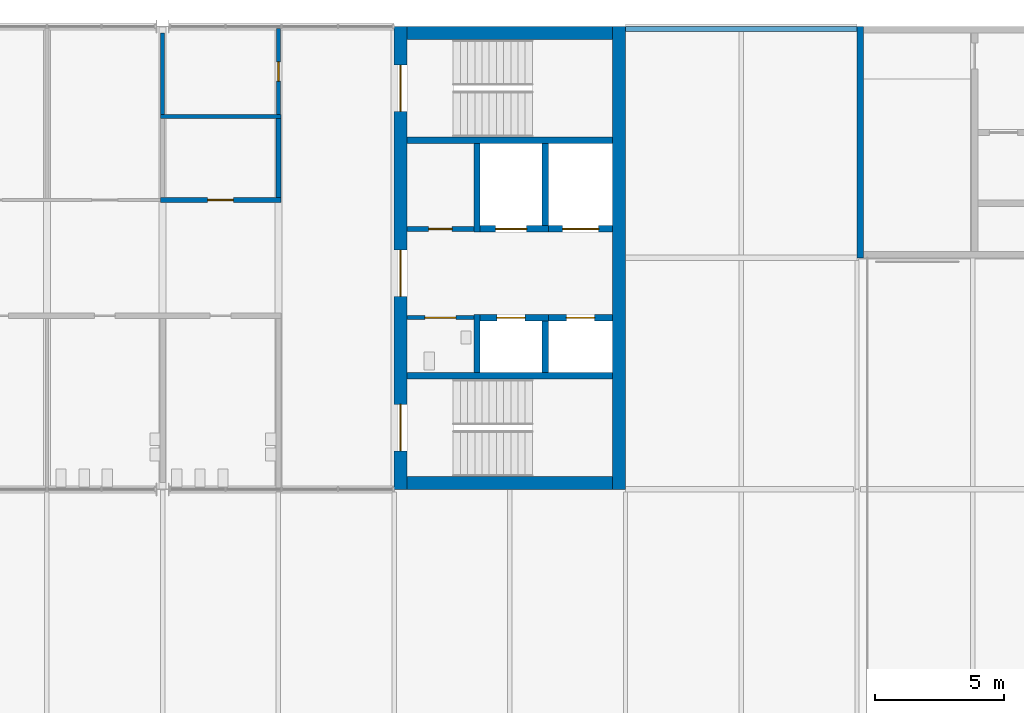
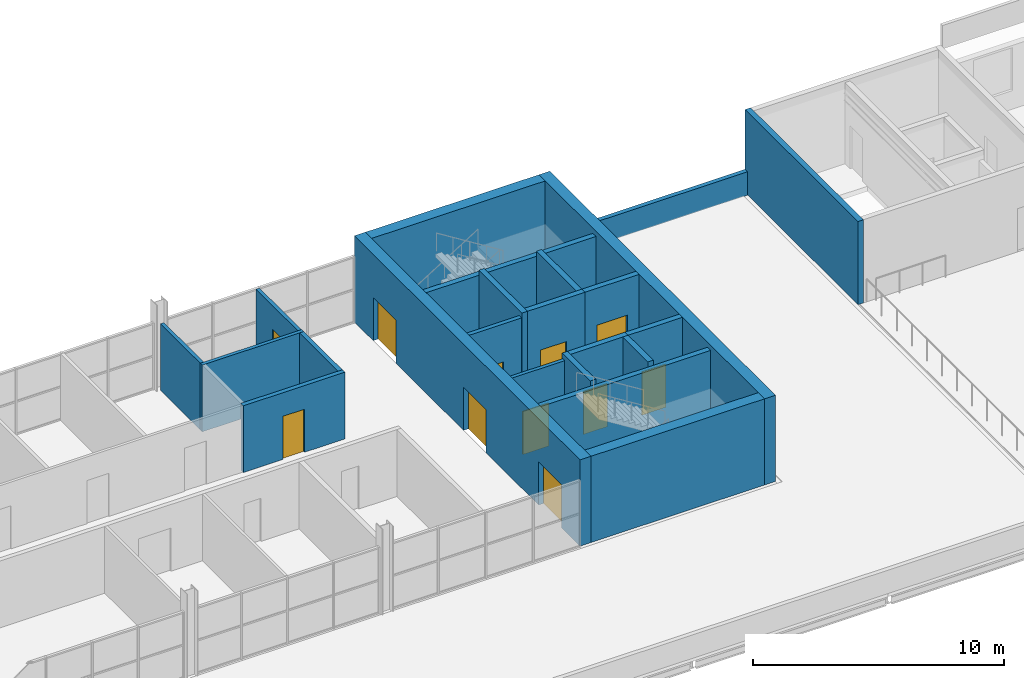
# One storey, part 44 of 50: 23 walls, 11 doors, 11 openings.
"""IFC4 building model written with IfcOpenShell, lengths in metres."""

from ifc_helpers import new_model, si_unit, direction, frame, frame_2d, origin, place, context, subcontext, project, spatial, rectangle, extrude, material, layer, layer_set, type_object, element, fill, save


model = new_model("IFC4")

# Units and contexts
model_context = context("Model", 3, precision=1e-05, world=origin(), true_north=direction((0.0, 1.0)))
body_context = subcontext(model_context, "Body", "Model", "MODEL_VIEW")
ifc_project = project(units=[si_unit("LENGTHUNIT", "METRE"), si_unit("AREAUNIT", "SQUARE_METRE"), si_unit("VOLUMEUNIT", "CUBIC_METRE"), si_unit("PLANEANGLEUNIT", "RADIAN"), si_unit("MASSUNIT", "GRAM", prefix="KILO")], contexts=[model_context])

# Site, building, storey
site_placement = place(None, origin())
site = spatial("IfcSite", under=ifc_project, at=site_placement, CompositionType="ELEMENT")
building_placement = place(site_placement, origin())
building = spatial("IfcBuilding", under=site, at=building_placement, Name="Corbel Yard City Hall", CompositionType="ELEMENT")
storey_placement = place(building_placement, frame((0.0, 0.0, 15.0)))
storey = spatial("IfcBuildingStorey", under=building, at=storey_placement, Name="L03", CompositionType="ELEMENT", Elevation=15.0)

# Walls
ifc_material_1 = material(Name="Concrete N50 (50 MPa)", Category="concrete")
ifc_layer_1 = layer(ifc_material_1, 0.25)
ifc_layer_set_1 = layer_set([ifc_layer_1], Name="Concrete N50 (50 MPa)")
wall_type_1 = type_object("IfcWallType", Name="Core cell wall 250", PredefinedType="SHEAR", material=ifc_layer_set_1)
wall_1_placement = place(storey_placement, frame((63.125, 108.0, 0.0), z_axis=(0.0, 0.0, 1.0), x_axis=(0.0, 1.0, 0.0)))
element("IfcWall", 1, at=wall_1_placement, inside=storey, type_object=wall_type_1, Name="Core PC-N1 west wall", PredefinedType="SHEAR", context=body_context, shape_type="SweptSolid", body=[
    extrude(rectangle(XDim=9.0, YDim=0.25, at=frame_2d((4.5, 0.0))), origin(), (0.0, 0.0, 1.0), 4.050048828125),
])
ifc_material_2 = material(Name="Concrete N40 (40 MPa)", Category="concrete")
ifc_layer_2 = layer(ifc_material_2, 0.25)
ifc_layer_set_2 = layer_set([ifc_layer_2], Name="Concrete N40 (40 MPa)")
wall_type_2 = type_object("IfcWallType", Name="IW2", PredefinedType="SOLIDWALL", material=ifc_layer_set_2)
for number, where, z_axis, x_axis, name in (
    (2, (45.5, 103.425048828125, 0.0), (0.0, 0.0, 1.0), (1.0, 0.0, 0.0), "Stair enclosure wall"),
    (3, (45.5, 112.574951171875, 0.0), (0.0, 0.0, 1.0), (1.0, 0.0, 0.0), "Stair enclosure wall"),
):
    element("IfcWall", number, at=place(storey_placement, frame(where, z_axis=z_axis, x_axis=x_axis)), inside=storey, type_object=wall_type_2, Name=name, PredefinedType="SOLIDWALL", context=body_context, shape_type="SweptSolid", body=[
        extrude(rectangle(XDim=8.0, YDim=0.25, at=frame_2d((4.0, 0.0))), origin(), (0.0, 0.0, 1.0), 3.949951171875),
    ])
wall_2_placement = place(storey_placement, frame((48.22509765625, 103.550048828125, 0.0), z_axis=(0.0, 0.0, 1.0), x_axis=(0.0, 1.0, 0.0)))
element("IfcWall", 4, at=wall_2_placement, inside=storey, type_object=wall_type_2, Name="Lift LP25 shaft wall", PredefinedType="SOLIDWALL", context=body_context, shape_type="SweptSolid", body=[
    extrude(rectangle(XDim=2.25, YDim=0.25, at=frame_2d((1.125, 0.0))), origin(), (0.0, 0.0, 1.0), 4.199951171875),
])
wall_3_placement = place(storey_placement, frame((50.875, 103.550048828125, 0.0), z_axis=(0.0, 0.0, 1.0), x_axis=(0.0, 1.0, 0.0)))
element("IfcWall", 5, at=wall_3_placement, inside=storey, type_object=wall_type_2, Name="Lift LP25 shaft wall", PredefinedType="SOLIDWALL", context=body_context, shape_type="SweptSolid", body=[
    extrude(rectangle(XDim=2.0, YDim=0.25, at=frame_2d((1.0, 0.0))), origin(), (0.0, 0.0, 1.0), 4.199951171875),
])

# Wall, opening, door
wall_4_placement = place(storey_placement, frame((48.35009765625, 105.675048828125, 0.0), z_axis=(0.0, 0.0, 1.0), x_axis=(1.0, 0.0, 0.0)))
wall_4 = element("IfcWall", 6, at=wall_4_placement, inside=storey, type_object=wall_type_2, Name="Lift LP25 shaft wall", PredefinedType="SOLIDWALL", context=body_context, shape_type="SweptSolid", body=[
    extrude(rectangle(XDim=2.64990234375, YDim=0.25, at=frame_2d((1.324951171875, 0.0))), origin(), (0.0, 0.0, 1.0), 4.199951171875),
])
opening_1_placement = place(wall_4_placement, frame((0.64990234375, 0.0, 0.0)))
opening_1 = element("IfcOpeningElement", 7, at=opening_1_placement, cuts=wall_4, Name="Opening L03-022", PredefinedType="OPENING", context=body_context, shape_type="SweptSolid", body=[
    extrude(rectangle(XDim=1.10009765625, YDim=2.10009765625, at=frame_2d((0.550048828125, 1.050048828125))), frame((0.0, 0.135009765625, 0.0), z_axis=(0.0, -1.0, 0.0), x_axis=(1.0, 0.0, 0.0)), (0.0, 0.0, 1.0), 0.27001953125),
])
ifc_material_3 = material(Name="Stainless steel Grade 316", Category="steel")
door_type_1 = type_object("IfcDoorType", Name="LD1", OperationType="DOUBLE_DOOR_SLIDING", PredefinedType="DOOR", material=ifc_material_3)
door_1_placement = place(opening_1_placement, origin())
door_1 = element("IfcDoor", 8, at=door_1_placement, inside=storey, type_object=door_type_1, Name="Lift LP25 landing door", OperationType="DOUBLE_DOOR_SLIDING", OverallHeight=2.10009765625, OverallWidth=1.10009765625, PredefinedType="DOOR", context=body_context, shape_type="SweptSolid", body=[
    extrude(rectangle(XDim=1.10009765625, YDim=2.10009765625, at=frame_2d((0.550048828125, 1.050048828125))), frame((0.0, 0.02490234375, 0.0), z_axis=(0.0, -1.0, 0.0), x_axis=(1.0, 0.0, 0.0)), (0.0, 0.0, 1.0), 0.050048828125),
])
fill(opening_1, door_1)

wall_5_placement = place(storey_placement, frame((51.0, 105.675048828125, 0.0), z_axis=(0.0, 0.0, 1.0), x_axis=(1.0, 0.0, 0.0)))
wall_5 = element("IfcWall", 9, at=wall_5_placement, inside=storey, type_object=wall_type_2, Name="Lift LP26 shaft wall", PredefinedType="SOLIDWALL", context=body_context, shape_type="SweptSolid", body=[
    extrude(rectangle(XDim=2.5, YDim=0.25, at=frame_2d((1.25, 0.0))), origin(), (0.0, 0.0, 1.0), 4.199951171875),
])
opening_2_placement = place(wall_5_placement, frame((0.699951171875, 0.0, 0.0)))
opening_2 = element("IfcOpeningElement", 10, at=opening_2_placement, cuts=wall_5, Name="Opening L03-023", PredefinedType="OPENING", context=body_context, shape_type="SweptSolid", body=[
    extrude(rectangle(XDim=1.10009765625, YDim=2.10009765625, at=frame_2d((0.550048828125, 1.050048828125))), frame((0.0, 0.135009765625, 0.0), z_axis=(0.0, -1.0, 0.0), x_axis=(1.0, 0.0, 0.0)), (0.0, 0.0, 1.0), 0.27001953125),
])
door_2_placement = place(opening_2_placement, origin())
door_2 = element("IfcDoor", 11, at=door_2_placement, inside=storey, type_object=door_type_1, Name="Lift LP26 landing door", OperationType="DOUBLE_DOOR_SLIDING", OverallHeight=2.10009765625, OverallWidth=1.10009765625, PredefinedType="DOOR", context=body_context, shape_type="SweptSolid", body=[
    extrude(rectangle(XDim=1.10009765625, YDim=2.10009765625, at=frame_2d((0.550048828125, 1.050048828125))), frame((0.0, 0.02490234375, 0.0), z_axis=(0.0, -1.0, 0.0), x_axis=(1.0, 0.0, 0.0)), (0.0, 0.0, 1.0), 0.050048828125),
])
fill(opening_2, door_2)

# Walls
wall_6_placement = place(storey_placement, frame((48.22509765625, 109.0, 0.0), z_axis=(0.0, 0.0, 1.0), x_axis=(0.0, 1.0, 0.0)))
element("IfcWall", 12, at=wall_6_placement, inside=storey, type_object=wall_type_2, Name="Lift LF2 shaft wall", PredefinedType="SOLIDWALL", context=body_context, shape_type="SweptSolid", body=[
    extrude(rectangle(XDim=3.449951171875, YDim=0.25, at=frame_2d((1.72509765625, 0.0))), origin(), (0.0, 0.0, 1.0), 4.199951171875),
])
wall_7_placement = place(storey_placement, frame((50.875, 109.25, 0.0), z_axis=(0.0, 0.0, 1.0), x_axis=(0.0, 1.0, 0.0)))
element("IfcWall", 13, at=wall_7_placement, inside=storey, type_object=wall_type_2, Name="Lift LF2 shaft wall", PredefinedType="SOLIDWALL", context=body_context, shape_type="SweptSolid", body=[
    extrude(rectangle(XDim=3.199951171875, YDim=0.25, at=frame_2d((1.60009765625, 0.0))), origin(), (0.0, 0.0, 1.0), 4.199951171875),
])

# Wall, opening, door
wall_8_placement = place(storey_placement, frame((48.35009765625, 109.125, 0.0), z_axis=(0.0, 0.0, 1.0), x_axis=(1.0, 0.0, 0.0)))
wall_8 = element("IfcWall", 14, at=wall_8_placement, inside=storey, type_object=wall_type_2, Name="Lift LF2 shaft wall", PredefinedType="SOLIDWALL", context=body_context, shape_type="SweptSolid", body=[
    extrude(rectangle(XDim=2.64990234375, YDim=0.25, at=frame_2d((1.324951171875, 0.0))), origin(), (0.0, 0.0, 1.0), 4.199951171875),
])
opening_3_placement = place(wall_8_placement, frame((0.60009765625, 0.0, 0.0)))
opening_3 = element("IfcOpeningElement", 15, at=opening_3_placement, cuts=wall_8, Name="Opening L03-024", PredefinedType="OPENING", context=body_context, shape_type="SweptSolid", body=[
    extrude(rectangle(XDim=1.199951171875, YDim=2.10009765625, at=frame_2d((0.60009765625, 1.050048828125))), frame((0.0, 0.135009765625, 0.0), z_axis=(0.0, -1.0, 0.0), x_axis=(1.0, 0.0, 0.0)), (0.0, 0.0, 1.0), 0.27001953125),
])
door_type_2 = type_object("IfcDoorType", Name="LD2", OperationType="DOUBLE_DOOR_SLIDING", PredefinedType="DOOR", material=ifc_material_3)
door_3_placement = place(opening_3_placement, origin())
door_3 = element("IfcDoor", 16, at=door_3_placement, inside=storey, type_object=door_type_2, Name="Lift LF2 landing door", OperationType="DOUBLE_DOOR_SLIDING", OverallHeight=2.10009765625, OverallWidth=1.199951171875, PredefinedType="DOOR", context=body_context, shape_type="SweptSolid", body=[
    extrude(rectangle(XDim=1.199951171875, YDim=2.10009765625, at=frame_2d((0.60009765625, 1.050048828125))), frame((0.0, 0.02490234375, 0.0), z_axis=(0.0, -1.0, 0.0), x_axis=(1.0, 0.0, 0.0)), (0.0, 0.0, 1.0), 0.050048828125),
])
fill(opening_3, door_3)

wall_9_placement = place(storey_placement, frame((51.0, 109.125, 0.0), z_axis=(0.0, 0.0, 1.0), x_axis=(1.0, 0.0, 0.0)))
wall_9 = element("IfcWall", 17, at=wall_9_placement, inside=storey, type_object=wall_type_2, Name="Lift LG1 shaft wall", PredefinedType="SOLIDWALL", context=body_context, shape_type="SweptSolid", body=[
    extrude(rectangle(XDim=2.5, YDim=0.25, at=frame_2d((1.25, 0.0))), origin(), (0.0, 0.0, 1.0), 4.199951171875),
])
opening_4_placement = place(wall_9_placement, frame((0.550048828125, 0.0, 0.0)))
opening_4 = element("IfcOpeningElement", 18, at=opening_4_placement, cuts=wall_9, Name="Opening L03-025", PredefinedType="OPENING", context=body_context, shape_type="SweptSolid", body=[
    extrude(rectangle(XDim=1.39990234375, YDim=2.39990234375, at=frame_2d((0.699951171875, 1.199951171875))), frame((0.0, 0.135009765625, 0.0), z_axis=(0.0, -1.0, 0.0), x_axis=(1.0, 0.0, 0.0)), (0.0, 0.0, 1.0), 0.27001953125),
])
door_type_3 = type_object("IfcDoorType", Name="LD3", OperationType="DOUBLE_DOOR_SLIDING", PredefinedType="DOOR", material=ifc_material_3)
door_4_placement = place(opening_4_placement, origin())
door_4 = element("IfcDoor", 19, at=door_4_placement, inside=storey, type_object=door_type_3, Name="Lift LG1 landing door", OperationType="DOUBLE_DOOR_SLIDING", OverallHeight=2.39990234375, OverallWidth=1.39990234375, PredefinedType="DOOR", context=body_context, shape_type="SweptSolid", body=[
    extrude(rectangle(XDim=1.39990234375, YDim=2.39990234375, at=frame_2d((0.699951171875, 1.199951171875))), frame((0.0, 0.02490234375, 0.0), z_axis=(0.0, -1.0, 0.0), x_axis=(1.0, 0.0, 0.0)), (0.0, 0.0, 1.0), 0.050048828125),
])
fill(opening_4, door_4)

# Wall
ifc_material_4 = material(Name="Concrete N32 (32 MPa)", Category="concrete")
ifc_layer_3 = layer(ifc_material_4, 0.199951171875)
ifc_layer_set_3 = layer_set([ifc_layer_3], Name="Concrete N32 (32 MPa)")
wall_type_3 = type_object("IfcWallType", Name="PR1", PredefinedType="PARAPET", material=ifc_layer_set_3)
wall_10_placement = place(storey_placement, frame((54.0, 116.89990234375, 0.0), z_axis=(0.0, 0.0, 1.0), x_axis=(1.0, 0.0, 0.0)))
element("IfcWall", 20, at=wall_10_placement, inside=storey, type_object=wall_type_3, Name="Roof parapet", PredefinedType="PARAPET", context=body_context, shape_type="SweptSolid", body=[
    extrude(rectangle(XDim=9.0, YDim=0.199951171875, at=frame_2d((4.5, 0.0))), origin(), (0.0, 0.0, 1.0), 1.139892578125),
])

# Wall, opening, door
ifc_material_5 = material(Name="Gypsum plasterboard", Category="gypsum")
ifc_layer_4 = layer(ifc_material_5, 0.031982421875)
ifc_material_6 = material(Name="Steel Grade G550 (550 MPa yield)", Category="steel")
ifc_layer_5 = layer(ifc_material_6, 0.135986328125)
ifc_layer_6 = layer(ifc_material_5, 0.031982421875)
ifc_layer_set_4 = layer_set([ifc_layer_4, ifc_layer_5, ifc_layer_6], Name="Steel Grade G550 (550 MPa yield)")
wall_type_4 = type_object("IfcWallType", Name="PT2", PredefinedType="PARTITIONING", material=ifc_layer_set_4)
wall_11_placement = place(storey_placement, frame((35.925048828125, 110.25, 0.0), z_axis=(0.0, 0.0, 1.0), x_axis=(1.0, 0.0, 0.0)))
wall_11 = element("IfcWall", 21, at=wall_11_placement, inside=storey, type_object=wall_type_4, Name="Acoustic wall", PredefinedType="PARTITIONING", context=body_context, shape_type="SweptSolid", body=[
    extrude(rectangle(XDim=4.675048828125, YDim=0.199951171875, at=frame_2d((2.33740234375, 0.0))), origin(), (0.0, 0.0, 1.0), 3.25),
])
opening_5_placement = place(wall_11_placement, frame((1.824951171875, 0.0, 0.0)))
opening_5 = element("IfcOpeningElement", 22, at=opening_5_placement, cuts=wall_11, Name="Opening L03-034", PredefinedType="OPENING", context=body_context, shape_type="SweptSolid", body=[
    extrude(rectangle(XDim=1.0, YDim=2.10009765625, at=frame_2d((0.5, 1.050048828125))), frame((0.0, 0.10986328125, 0.0), z_axis=(0.0, -1.0, 0.0), x_axis=(1.0, 0.0, 0.0)), (0.0, 0.0, 1.0), 0.219970703125),
])
ifc_material_7 = material(Name="Timber", Category="wood")
door_type_4 = type_object("IfcDoorType", Name="D1", OperationType="SINGLE_SWING_LEFT", PredefinedType="DOOR", material=ifc_material_7)
door_5_placement = place(opening_5_placement, origin())
door_5 = element("IfcDoor", 23, at=door_5_placement, inside=storey, type_object=door_type_4, Name="Door First Aid Room 0312", OperationType="SINGLE_SWING_LEFT", OverallHeight=2.10009765625, OverallWidth=1.0, PredefinedType="DOOR", context=body_context, shape_type="SweptSolid", body=[
    extrude(rectangle(XDim=1.0, YDim=2.10009765625, at=frame_2d((0.5, 1.050048828125))), frame((0.0, 0.02490234375, 0.0), z_axis=(0.0, -1.0, 0.0), x_axis=(1.0, 0.0, 0.0)), (0.0, 0.0, 1.0), 0.050048828125),
])
fill(opening_5, door_5)

# Wall
wall_12_placement = place(storey_placement, frame((40.5, 110.35009765625, 0.0), z_axis=(0.0, 0.0, 1.0), x_axis=(0.0, 1.0, 0.0)))
element("IfcWall", 24, at=wall_12_placement, inside=storey, type_object=wall_type_4, Name="Acoustic wall", PredefinedType="PARTITIONING", context=body_context, shape_type="SweptSolid", body=[
    extrude(rectangle(XDim=3.06982421875, YDim=0.199951171875, at=frame_2d((1.534912109375, 0.0))), origin(), (0.0, 0.0, 1.0), 3.25),
])

# Wall, opening, door
ifc_layer_7 = layer(ifc_material_5, 0.031982421875)
ifc_layer_8 = layer(ifc_material_6, 0.095947265625)
ifc_layer_9 = layer(ifc_material_5, 0.031982421875)
ifc_layer_set_5 = layer_set([ifc_layer_7, ifc_layer_8, ifc_layer_9], Name="Steel Grade G550 (550 MPa yield)")
wall_type_5 = type_object("IfcWallType", Name="PT3", PredefinedType="PARTITIONING", material=ifc_layer_set_5)
wall_13_placement = place(storey_placement, frame((45.5, 105.675048828125, 0.0), z_axis=(0.0, 0.0, 1.0), x_axis=(1.0, 0.0, 0.0)))
wall_13 = element("IfcWall", 25, at=wall_13_placement, inside=storey, type_object=wall_type_5, Name="Accessible WC wall", PredefinedType="PARTITIONING", context=body_context, shape_type="SweptSolid", body=[
    extrude(rectangle(XDim=2.60009765625, YDim=0.159912109375, at=frame_2d((1.300048828125, 0.0))), origin(), (0.0, 0.0, 1.0), 3.949951171875),
])
opening_6_placement = place(wall_13_placement, frame((0.699951171875, 0.0, 0.0)))
opening_6 = element("IfcOpeningElement", 26, at=opening_6_placement, cuts=wall_13, Name="Opening L03-044", PredefinedType="OPENING", context=body_context, shape_type="SweptSolid", body=[
    extrude(rectangle(XDim=1.199951171875, YDim=2.10009765625, at=frame_2d((0.60009765625, 1.050048828125))), frame((0.0, 0.08984375, 0.0), z_axis=(0.0, -1.0, 0.0), x_axis=(1.0, 0.0, 0.0)), (0.0, 0.0, 1.0), 0.179931640625),
])
ifc_material_8 = material(Name="Steel Grade G250", Category="steel")
door_type_5 = type_object("IfcDoorType", Name="FD7", OperationType="SINGLE_SWING_LEFT", PredefinedType="DOOR", material=ifc_material_8)
door_6_placement = place(opening_6_placement, frame((1.199951171875, 0.0, 0.0), z_axis=(0.0, 0.0, 1.0), x_axis=(-1.0, 0.0, 0.0)))
door_6 = element("IfcDoor", 27, at=door_6_placement, inside=storey, type_object=door_type_5, Name="Door accessible WC East", OperationType="SINGLE_SWING_RIGHT", OverallHeight=2.10009765625, OverallWidth=1.199951171875, PredefinedType="DOOR", context=body_context, shape_type="SweptSolid", body=[
    extrude(rectangle(XDim=1.199951171875, YDim=2.10009765625, at=frame_2d((0.60009765625, 1.050048828125))), frame((0.0, 0.02490234375, 0.0), z_axis=(0.0, -1.0, 0.0), x_axis=(1.0, 0.0, 0.0)), (0.0, 0.0, 1.0), 0.050048828125),
])
fill(opening_6, door_6)

# Walls
wall_14_placement = place(storey_placement, frame((35.919921875, 113.5, 0.0), z_axis=(0.0, 0.0, 1.0), x_axis=(1.0, 0.0, 0.0)))
element("IfcWall", 28, at=wall_14_placement, inside=storey, type_object=wall_type_5, Name="Fire-resisting wall", PredefinedType="PARTITIONING", context=body_context, shape_type="SweptSolid", body=[
    extrude(rectangle(XDim=4.68017578125, YDim=0.159912109375, at=frame_2d((2.340087890625, 0.0))), origin(), (0.0, 0.0, 1.0), 3.25),
])
wall_15_placement = place(storey_placement, frame((36.0, 113.580078125, 0.0), z_axis=(0.0, 0.0, 1.0), x_axis=(0.0, 1.0, 0.0)))
element("IfcWall", 29, at=wall_15_placement, inside=storey, type_object=wall_type_5, Name="Fire-resisting wall", PredefinedType="PARTITIONING", context=body_context, shape_type="SweptSolid", body=[
    extrude(rectangle(XDim=3.162841796875, YDim=0.159912109375, at=frame_2d((1.58154296875, 0.0))), origin(), (0.0, 0.0, 1.0), 3.25),
])

# Wall, opening, door
wall_16_placement = place(storey_placement, frame((40.5, 113.580078125, 0.0), z_axis=(0.0, 0.0, 1.0), x_axis=(0.0, 1.0, 0.0)))
wall_16 = element("IfcWall", 30, at=wall_16_placement, inside=storey, type_object=wall_type_5, Name="Fire-resisting wall", PredefinedType="PARTITIONING", context=body_context, shape_type="SweptSolid", body=[
    extrude(rectangle(XDim=3.344970703125, YDim=0.159912109375, at=frame_2d((1.67236328125, 0.0))), origin(), (0.0, 0.0, 1.0), 3.25),
])
opening_7_placement = place(wall_16_placement, frame((1.294921875, 0.0, 0.0)))
opening_7 = element("IfcOpeningElement", 31, at=opening_7_placement, cuts=wall_16, Name="Opening L03-035", PredefinedType="OPENING", context=body_context, shape_type="SweptSolid", body=[
    extrude(rectangle(XDim=0.75, YDim=2.10009765625, at=frame_2d((0.375, 1.050048828125))), frame((0.0, 0.08984375, 0.0), z_axis=(0.0, -1.0, 0.0), x_axis=(1.0, 0.0, 0.0)), (0.0, 0.0, 1.0), 0.179931640625),
])
door_type_6 = type_object("IfcDoorType", Name="FD42", OperationType="SINGLE_SWING_LEFT", PredefinedType="DOOR", material=ifc_material_8)
door_7_placement = place(opening_7_placement, origin())
door_7 = element("IfcDoor", 32, at=door_7_placement, inside=storey, type_object=door_type_6, Name="Door Cleaners' Room 0313", OperationType="SINGLE_SWING_LEFT", OverallHeight=2.10009765625, OverallWidth=0.75, PredefinedType="DOOR", context=body_context, shape_type="SweptSolid", body=[
    extrude(rectangle(XDim=0.75, YDim=2.10009765625, at=frame_2d((0.375, 1.050048828125))), frame((0.0, 0.02490234375, 0.0), z_axis=(0.0, -1.0, 0.0), x_axis=(1.0, 0.0, 0.0)), (0.0, 0.0, 1.0), 0.050048828125),
])
fill(opening_7, door_7)

ifc_material_9 = material(Name="Concrete block", Category="concrete")
ifc_layer_10 = layer(ifc_material_9, 0.18994140625)
ifc_layer_set_6 = layer_set([ifc_layer_10], Name="Concrete block")
wall_type_6 = type_object("IfcWallType", Name="PT4", PredefinedType="PARTITIONING", material=ifc_layer_set_6)
wall_17_placement = place(storey_placement, frame((45.5, 109.125, 0.0), z_axis=(0.0, 0.0, 1.0), x_axis=(1.0, 0.0, 0.0)))
wall_17 = element("IfcWall", 33, at=wall_17_placement, inside=storey, type_object=wall_type_6, Name="Riser wall", PredefinedType="PARTITIONING", context=body_context, shape_type="SweptSolid", body=[
    extrude(rectangle(XDim=2.60009765625, YDim=0.18994140625, at=frame_2d((1.300048828125, 0.0))), origin(), (0.0, 0.0, 1.0), 3.949951171875),
])
opening_8_placement = place(wall_17_placement, frame((0.840087890625, 0.0, 0.0)))
opening_8 = element("IfcOpeningElement", 34, at=opening_8_placement, cuts=wall_17, Name="Opening L03-045", PredefinedType="OPENING", context=body_context, shape_type="SweptSolid", body=[
    extrude(rectangle(XDim=0.919921875, YDim=2.10009765625, at=frame_2d((0.4599609375, 1.050048828125))), frame((0.0, 0.10498046875, 0.0), z_axis=(0.0, -1.0, 0.0), x_axis=(1.0, 0.0, 0.0)), (0.0, 0.0, 1.0), 0.2099609375),
])
door_type_7 = type_object("IfcDoorType", Name="FS4", OperationType="SINGLE_SWING_LEFT", PredefinedType="DOOR", material=ifc_material_8)
door_8_placement = place(opening_8_placement, origin())
door_8 = element("IfcDoor", 35, at=door_8_placement, inside=storey, type_object=door_type_7, Name="Door riser East", OperationType="SINGLE_SWING_LEFT", OverallHeight=2.10009765625, OverallWidth=0.919921875, PredefinedType="DOOR", context=body_context, shape_type="SweptSolid", body=[
    extrude(rectangle(XDim=0.919921875, YDim=2.10009765625, at=frame_2d((0.4599609375, 1.050048828125))), frame((0.0, 0.02490234375, 0.0), z_axis=(0.0, -1.0, 0.0), x_axis=(1.0, 0.0, 0.0)), (0.0, 0.0, 1.0), 0.050048828125),
])
fill(opening_8, door_8)

# Wall, openings, doors
ifc_layer_11 = layer(ifc_material_1, 0.5)
ifc_layer_set_7 = layer_set([ifc_layer_11], Name="Concrete N50 (50 MPa)")
wall_type_7 = type_object("IfcWallType", Name="Trunk wall 500", PredefinedType="SHEAR", material=ifc_layer_set_7)
wall_18_placement = place(storey_placement, frame((45.25, 99.0, 0.0), z_axis=(0.0, 0.0, 1.0), x_axis=(0.0, 1.0, 0.0)))
wall_18 = element("IfcWall", 36, at=wall_18_placement, inside=storey, type_object=wall_type_7, Name="Trunk E west wall", PredefinedType="SHEAR", context=body_context, shape_type="SweptSolid", body=[
    extrude(rectangle(XDim=18.0, YDim=0.5, at=frame_2d((9.0, 0.0))), origin(), (0.0, 0.0, 1.0), 4.199951171875),
])
opening_9_placement = place(wall_18_placement, frame((1.5, 0.0, 0.0)))
opening_9 = element("IfcOpeningElement", 37, at=opening_9_placement, cuts=wall_18, Name="Opening L03-041", PredefinedType="OPENING", context=body_context, shape_type="SweptSolid", body=[
    extrude(rectangle(XDim=1.800048828125, YDim=2.10009765625, at=frame_2d((0.89990234375, 1.050048828125))), frame((0.0, 0.260009765625, 0.0), z_axis=(0.0, -1.0, 0.0), x_axis=(1.0, 0.0, 0.0)), (0.0, 0.0, 1.0), 0.52001953125),
])
opening_10_placement = place(wall_18_placement, frame((14.699951171875, 0.0, 0.0)))
opening_10 = element("IfcOpeningElement", 38, at=opening_10_placement, cuts=wall_18, Name="Opening L03-042", PredefinedType="OPENING", context=body_context, shape_type="SweptSolid", body=[
    extrude(rectangle(XDim=1.800048828125, YDim=2.10009765625, at=frame_2d((0.89990234375, 1.050048828125))), frame((0.0, 0.260009765625, 0.0), z_axis=(0.0, -1.0, 0.0), x_axis=(1.0, 0.0, 0.0)), (0.0, 0.0, 1.0), 0.52001953125),
])
opening_11_placement = place(wall_18_placement, frame((7.5, 0.0, 0.0)))
opening_11 = element("IfcOpeningElement", 39, at=opening_11_placement, cuts=wall_18, Name="Opening L03-043", PredefinedType="OPENING", context=body_context, shape_type="SweptSolid", body=[
    extrude(rectangle(XDim=1.800048828125, YDim=2.10009765625, at=frame_2d((0.89990234375, 1.050048828125))), frame((0.0, 0.260009765625, 0.0), z_axis=(0.0, -1.0, 0.0), x_axis=(1.0, 0.0, 0.0)), (0.0, 0.0, 1.0), 0.52001953125),
])
door_type_8 = type_object("IfcDoorType", Name="FS3", OperationType="DOUBLE_DOOR_SINGLE_SWING", PredefinedType="DOOR", material=ifc_material_8)
door_9_placement = place(opening_9_placement, origin())
door_9 = element("IfcDoor", 40, at=door_9_placement, inside=storey, type_object=door_type_8, Name="Door ST-E1", OperationType="DOUBLE_DOOR_SINGLE_SWING", OverallHeight=2.10009765625, OverallWidth=1.800048828125, PredefinedType="DOOR", context=body_context, shape_type="SweptSolid", body=[
    extrude(rectangle(XDim=1.800048828125, YDim=2.10009765625, at=frame_2d((0.89990234375, 1.050048828125))), frame((0.0, 0.02490234375, 0.0), z_axis=(0.0, -1.0, 0.0), x_axis=(1.0, 0.0, 0.0)), (0.0, 0.0, 1.0), 0.050048828125),
])
fill(opening_9, door_9)
door_10_placement = place(opening_10_placement, origin())
door_10 = element("IfcDoor", 41, at=door_10_placement, inside=storey, type_object=door_type_8, Name="Door ST-E2", OperationType="DOUBLE_DOOR_SINGLE_SWING", OverallHeight=2.10009765625, OverallWidth=1.800048828125, PredefinedType="DOOR", context=body_context, shape_type="SweptSolid", body=[
    extrude(rectangle(XDim=1.800048828125, YDim=2.10009765625, at=frame_2d((0.89990234375, 1.050048828125))), frame((0.0, 0.02490234375, 0.0), z_axis=(0.0, -1.0, 0.0), x_axis=(1.0, 0.0, 0.0)), (0.0, 0.0, 1.0), 0.050048828125),
])
fill(opening_10, door_10)
door_11_placement = place(opening_11_placement, origin())
door_11 = element("IfcDoor", 42, at=door_11_placement, inside=storey, type_object=door_type_8, Name="Door lift lobby East", OperationType="DOUBLE_DOOR_SINGLE_SWING", OverallHeight=2.10009765625, OverallWidth=1.800048828125, PredefinedType="DOOR", context=body_context, shape_type="SweptSolid", body=[
    extrude(rectangle(XDim=1.800048828125, YDim=2.10009765625, at=frame_2d((0.89990234375, 1.050048828125))), frame((0.0, 0.02490234375, 0.0), z_axis=(0.0, -1.0, 0.0), x_axis=(1.0, 0.0, 0.0)), (0.0, 0.0, 1.0), 0.050048828125),
])
fill(opening_11, door_11)

# Walls
wall_19_placement = place(storey_placement, frame((53.75, 99.0, 0.0), z_axis=(0.0, 0.0, 1.0), x_axis=(0.0, 1.0, 0.0)))
element("IfcWall", 43, at=wall_19_placement, inside=storey, type_object=wall_type_7, Name="Trunk E east wall", PredefinedType="SHEAR", context=body_context, shape_type="SweptSolid", body=[
    extrude(rectangle(XDim=18.0, YDim=0.5, at=frame_2d((9.0, 0.0))), origin(), (0.0, 0.0, 1.0), 4.199951171875),
])
for number, where, z_axis, x_axis, name in (
    (44, (45.5, 99.25, 0.0), (0.0, 0.0, 1.0), (1.0, 0.0, 0.0), "Trunk E south wall"),
    (45, (45.5, 116.75, 0.0), (0.0, 0.0, 1.0), (1.0, 0.0, 0.0), "Trunk E north wall"),
):
    element("IfcWall", number, at=place(storey_placement, frame(where, z_axis=z_axis, x_axis=x_axis)), inside=storey, type_object=wall_type_7, Name=name, PredefinedType="SHEAR", context=body_context, shape_type="SweptSolid", body=[
        extrude(rectangle(XDim=8.0, YDim=0.5, at=frame_2d((4.0, 0.0))), origin(), (0.0, 0.0, 1.0), 4.199951171875),
    ])

save(model, "model.ifc")
